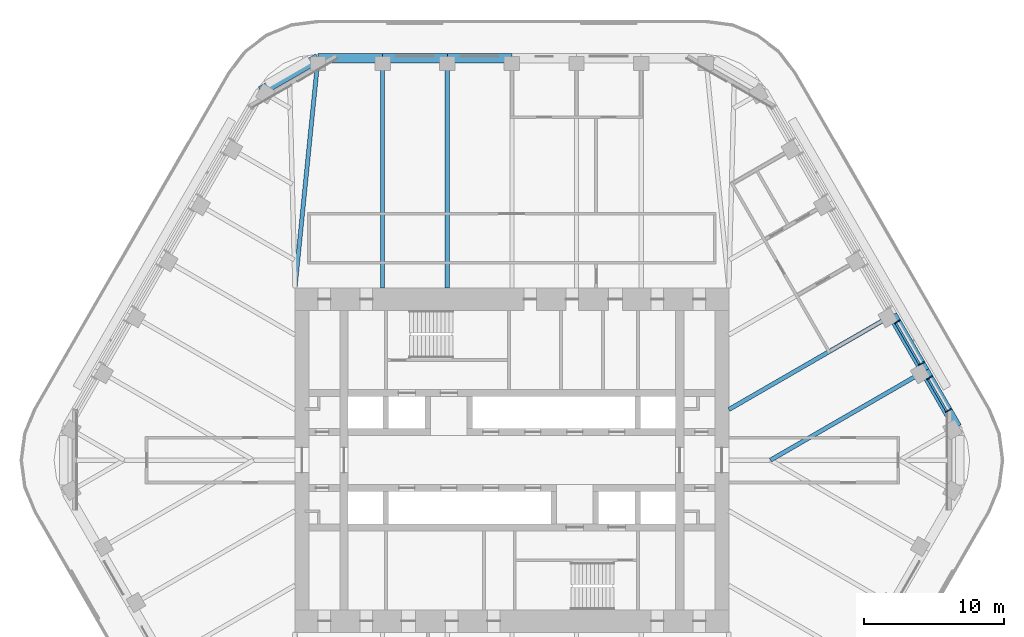
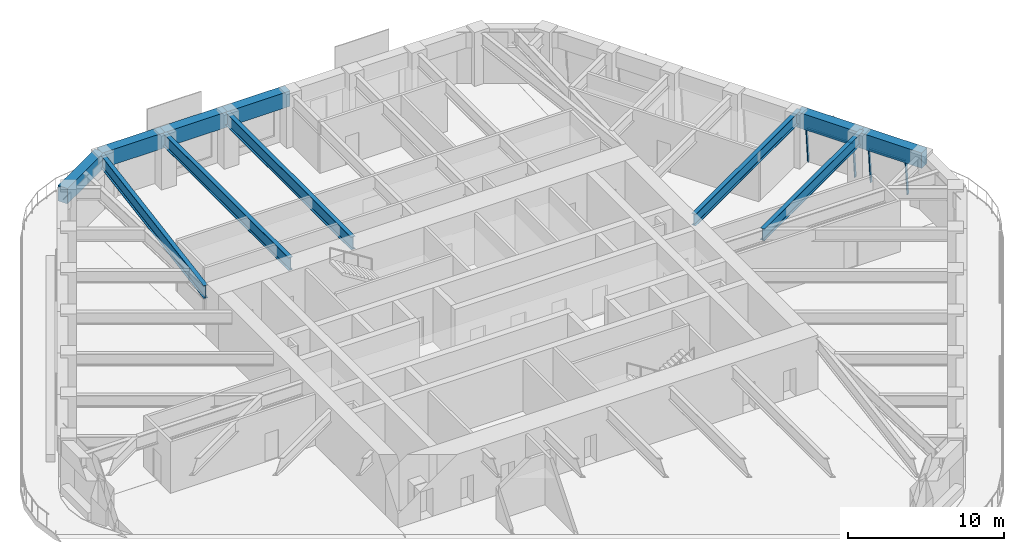
# One storey, part 9 of 20: 11 beams, 6 members, 2 elements without a shape of their own.
"""IFC4 building model written with IfcOpenShell, lengths in metres."""

from ifc_helpers import new_model, si_unit, direction, frame, origin, origin_2d, place, context, subcontext, project, spatial, rectangle, i_section, extrude, material, material_profile, profile_set, type_object, element, aggregate, save


model = new_model("IFC4")

# Units and contexts
model_context = context("Model", 3, precision=1e-05, world=origin(), true_north=direction((0.0, 1.0)))
body_context = subcontext(model_context, "Body", "Model", "MODEL_VIEW")
ifc_project = project(units=[si_unit("LENGTHUNIT", "METRE"), si_unit("AREAUNIT", "SQUARE_METRE"), si_unit("VOLUMEUNIT", "CUBIC_METRE"), si_unit("PLANEANGLEUNIT", "RADIAN"), si_unit("MASSUNIT", "GRAM", prefix="KILO")], contexts=[model_context])

# Site, building, storey
site_placement = place(None, origin())
site = spatial("IfcSite", under=ifc_project, at=site_placement, CompositionType="ELEMENT")
building_placement = place(site_placement, origin())
building = spatial("IfcBuilding", under=site, at=building_placement, Name="Tarfa Lantern Tower", CompositionType="ELEMENT")
storey_placement = place(building_placement, frame((0.0, 0.0, 291.10009765625)))
storey = spatial("IfcBuildingStorey", under=building, at=storey_placement, Name="L66", CompositionType="ELEMENT", Elevation=291.10009765625)

# Curtain wall, members
ifc_material_1 = material(Name="Aluminium framed curtain wall", Category="aluminium")
curtain_wall_type = type_object("IfcCurtainWallType", Name="CW3 CANTED GLAZING HIGH ZONE 2800", PredefinedType="USERDEFINED", material=ifc_material_1)
curtain_wall_1_placement = place(storey_placement, origin())
curtain_wall_1 = element("IfcCurtainWall", 1, at=curtain_wall_1_placement, inside=storey, type_object=curtain_wall_type, Name="CW3 NE L66", ObjectType="CURTAIN WALL", PredefinedType="USERDEFINED")
ifc_material_2 = material(Name="Aluminium mullion", Category="aluminium")
ifc_material_profile_1 = material_profile(ifc_material_2, rectangle(XDim=0.06494140625, YDim=0.199951171875, at=origin_2d()), Name="AL MULLION 65x200")
ifc_profile_set_1 = profile_set([ifc_material_profile_1], Name="Aluminium mullion")
member_type_1 = type_object("IfcMemberType", Name="CWM1 MULLION 65x200", PredefinedType="MULLION", material=ifc_profile_set_1)
member_1_placement = place(storey_placement, frame((31.2900390625, 3.60400390625, 0.0), z_axis=(-0.077039050765, -0.044468989844, 0.996035889715), x_axis=(0.499919672301, -0.866071776036, 0.0)))
member_1 = element("IfcMember", 2, at=member_1_placement, type_object=member_type_1, Name="CW3 mullion 1", PredefinedType="MULLION", context=body_context, shape_type="SweptSolid", body=[
    extrude(rectangle(XDim=0.06494140625, YDim=0.199951171875, at=origin_2d()), origin(), (0.0, 0.0, 1.0), 2.81103515625),
])
member_2_placement = place(storey_placement, frame((29.938232421875, 5.945556640625, 0.0), z_axis=(-0.077039050765, -0.044468989844, 0.996035889715), x_axis=(0.499919672301, -0.866071776036, 0.0)))
member_2 = element("IfcMember", 3, at=member_2_placement, type_object=member_type_1, Name="CW3 mullion 2", PredefinedType="MULLION", context=body_context, shape_type="SweptSolid", body=[
    extrude(rectangle(XDim=0.06494140625, YDim=0.199951171875, at=origin_2d()), origin(), (0.0, 0.0, 1.0), 2.81103515625),
])

curtain_wall_2_placement = place(storey_placement, origin())
curtain_wall_2 = element("IfcCurtainWall", 4, at=curtain_wall_2_placement, inside=storey, type_object=curtain_wall_type, Name="CW3 NE L66", ObjectType="CURTAIN WALL", PredefinedType="USERDEFINED")
member_3_placement = place(storey_placement, frame((29.355712890625, 6.954345703125, 0.0), z_axis=(-0.077039050765, -0.044468989844, 0.996035889715), x_axis=(0.499919672301, -0.866071776036, 0.0)))
member_3 = element("IfcMember", 5, at=member_3_placement, type_object=member_type_1, Name="CW3 mullion 1", PredefinedType="MULLION", context=body_context, shape_type="SweptSolid", body=[
    extrude(rectangle(XDim=0.06494140625, YDim=0.199951171875, at=origin_2d()), origin(), (0.0, 0.0, 1.0), 2.81103515625),
])
member_4_placement = place(storey_placement, frame((27.62890625, 9.945556640625, 0.0), z_axis=(-0.077039050765, -0.044468989844, 0.996035889715), x_axis=(0.499919672301, -0.866071776036, 0.0)))
member_4 = element("IfcMember", 6, at=member_4_placement, type_object=member_type_1, Name="CW3 mullion 2", PredefinedType="MULLION", context=body_context, shape_type="SweptSolid", body=[
    extrude(rectangle(XDim=0.06494140625, YDim=0.199951171875, at=origin_2d()), origin(), (0.0, 0.0, 1.0), 2.81103515625),
])

# Member
ifc_material_3 = material(Name="Aluminium transom", Category="aluminium")
ifc_material_profile_2 = material_profile(ifc_material_3, rectangle(XDim=0.14990234375, YDim=0.06494140625, at=origin_2d()), Name="AL TRANSOM 150x65")
ifc_profile_set_2 = profile_set([ifc_material_profile_2], Name="Aluminium transom")
member_type_2 = type_object("IfcMemberType", Name="CWT1 TRANSOM 150x65", PredefinedType="USERDEFINED", material=ifc_profile_set_2)
member_5_placement = place(storey_placement, frame((31.059814453125, 3.508544921875, 2.767333984375), z_axis=(-0.499960041298, 0.866048472723, 0.0), x_axis=(-0.866048472723, -0.499960041298, 0.0)))
member_5 = element("IfcMember", 7, at=member_5_placement, type_object=member_type_2, Name="CW3 transom 1.2", ObjectType="TRANSOM", PredefinedType="USERDEFINED", context=body_context, shape_type="SweptSolid", body=[
    extrude(rectangle(XDim=0.14990234375, YDim=0.06494140625, at=origin_2d()), origin(), (0.0, 0.0, 1.0), 2.638916015625),
])

aggregate(curtain_wall_1, [member_1, member_2, member_5])

member_6_placement = place(storey_placement, frame((29.12548828125, 6.859130859375, 2.767333984375), z_axis=(-0.499982299553, 0.866035622901, 0.0), x_axis=(-0.866035622901, -0.499982299553, 0.0)))
member_6 = element("IfcMember", 8, at=member_6_placement, type_object=member_type_2, Name="CW3 transom 1.2", ObjectType="TRANSOM", PredefinedType="USERDEFINED", context=body_context, shape_type="SweptSolid", body=[
    extrude(rectangle(XDim=0.14990234375, YDim=0.06494140625, at=origin_2d()), origin(), (0.0, 0.0, 1.0), 3.388671875),
])

aggregate(curtain_wall_2, [member_3, member_4, member_6])

# Beams
ifc_material_4 = material(Name="Concrete C80/95", Category="concrete")
ifc_material_profile_3 = material_profile(ifc_material_4, rectangle(XDim=0.699951171875, YDim=1.199951171875, at=origin_2d()), Name="RC 700x1200")
ifc_profile_set_3 = profile_set([ifc_material_profile_3], Name="Concrete C80/95")
beam_type_1 = type_object("IfcBeamType", Name="EB3 RC 700x1200", PredefinedType="SPANDREL", material=ifc_profile_set_3)
beam_1_placement = place(storey_placement, frame((31.800537109375, 2.360107421875, 3.39990234375), z_axis=(-0.500027479704, 0.866009537788, 0.0), x_axis=(-0.866009537788, -0.500027479704, 0.0)))
element("IfcBeam", 9, at=beam_1_placement, inside=storey, type_object=beam_type_1, Name="Edge beam NE0", PredefinedType="SPANDREL", context=body_context, shape_type="SweptSolid", body=[
    extrude(rectangle(XDim=0.699951171875, YDim=1.199951171875, at=origin_2d()), origin(), (0.0, 0.0, 1.0), 4.618896484375),
])
beam_2_placement = place(storey_placement, frame((29.490966796875, 6.360107421875, 3.39990234375), z_axis=(-0.499987836815, 0.866032426089, 0.0), x_axis=(-0.866032426089, -0.499987836815, 0.0)))
element("IfcBeam", 10, at=beam_2_placement, inside=storey, type_object=beam_type_1, Name="Edge beam NE1", PredefinedType="SPANDREL", context=body_context, shape_type="SweptSolid", body=[
    extrude(rectangle(XDim=0.699951171875, YDim=1.199951171875, at=origin_2d()), origin(), (0.0, 0.0, 1.0), 4.61865234375),
])
beam_3_placement = place(storey_placement, frame((0.0, 28.719970703125, 3.39990234375), z_axis=(-1.0, 0.0, 0.0), x_axis=(0.0, -1.0, 0.0)))
element("IfcBeam", 11, at=beam_3_placement, inside=storey, type_object=beam_type_1, Name="Edge beam N3", PredefinedType="SPANDREL", context=body_context, shape_type="SweptSolid", body=[
    extrude(rectangle(XDim=0.699951171875, YDim=1.199951171875, at=origin_2d()), origin(), (0.0, 0.0, 1.0), 4.618896484375),
])
beam_4_placement = place(storey_placement, frame((-4.618896484375, 28.719970703125, 3.39990234375), z_axis=(-1.0, 0.0, 0.0), x_axis=(0.0, -1.0, 0.0)))
element("IfcBeam", 12, at=beam_4_placement, inside=storey, type_object=beam_type_1, Name="Edge beam N4", PredefinedType="SPANDREL", context=body_context, shape_type="SweptSolid", body=[
    extrude(rectangle(XDim=0.699951171875, YDim=1.199951171875, at=origin_2d()), origin(), (0.0, 0.0, 1.0), 4.61865234375),
])
beam_5_placement = place(storey_placement, frame((-9.237548828125, 28.719970703125, 3.39990234375), z_axis=(-1.0, 0.0, 0.0), x_axis=(0.0, -1.0, 0.0)))
element("IfcBeam", 13, at=beam_5_placement, inside=storey, type_object=beam_type_1, Name="Edge beam N5", PredefinedType="SPANDREL", context=body_context, shape_type="SweptSolid", body=[
    extrude(rectangle(XDim=0.699951171875, YDim=1.199951171875, at=origin_2d()), origin(), (0.0, 0.0, 1.0), 4.618896484375),
])
beam_6_placement = place(storey_placement, frame((-13.8564453125, 28.719970703125, 3.39990234375), z_axis=(-0.866038294681, -0.499977671647, 0.0), x_axis=(0.499977671647, -0.866038294681, 0.0)))
element("IfcBeam", 14, at=beam_6_placement, inside=storey, type_object=beam_type_1, Name="Edge beam N6", PredefinedType="SPANDREL", context=body_context, shape_type="SweptSolid", body=[
    extrude(rectangle(XDim=0.699951171875, YDim=1.199951171875, at=origin_2d()), origin(), (0.0, 0.0, 1.0), 4.719970703125),
])
ifc_material_5 = material(Name="Steel S460M", Category="steel")
ifc_material_profile_4 = material_profile(ifc_material_5, i_section(OverallWidth=0.302001953125, OverallDepth=1.008056640625, WebThickness=0.02099609375, FlangeThickness=0.0400390625, FilletRadius=0.030029296875, at=origin_2d()), Name="UB1016x305x349")
ifc_profile_set_4 = profile_set([ifc_material_profile_4], Name="Steel S460M")
beam_type_2 = type_object("IfcBeamType", Name="UB1016x305x349", PredefinedType="BEAM", material=ifc_profile_set_4)
for number, where, z_axis, x_axis, name in (
    (15, (-4.618896484375, 28.719970703125, 3.495849609375), (0.0, -1.0, 0.0), (1.0, 0.0, 0.0), "Floor beam N4"),
    (16, (-9.237548828125, 28.719970703125, 3.495849609375), (0.0, -1.0, 0.0), (1.0, 0.0, 0.0), "Floor beam N5"),
):
    element("IfcBeam", number, at=place(storey_placement, frame(where, z_axis=z_axis, x_axis=x_axis)), inside=storey, type_object=beam_type_2, Name=name, PredefinedType="BEAM", context=body_context, shape_type="SweptSolid", body=[
        extrude(i_section(OverallWidth=0.302001953125, OverallDepth=1.008056640625, WebThickness=0.02099609375, FlangeThickness=0.0400390625, FilletRadius=0.030029296875, at=origin_2d()), origin(), (0.0, 0.0, 1.0), 16.419921875),
    ])
beam_7_placement = place(storey_placement, frame((-13.8564453125, 28.719970703125, 3.495849609375), z_axis=(-0.099597466746, -0.995027810977, 0.0), x_axis=(0.995027810977, -0.099597466746, 0.0)))
element("IfcBeam", 17, at=beam_7_placement, inside=storey, type_object=beam_type_2, Name="Floor beam N6", PredefinedType="BEAM", context=body_context, shape_type="SweptSolid", body=[
    extrude(i_section(OverallWidth=0.302001953125, OverallDepth=1.008056640625, WebThickness=0.02099609375, FlangeThickness=0.0400390625, FilletRadius=0.030029296875, at=origin_2d()), origin(), (0.0, 0.0, 1.0), 16.501953125),
])
ifc_material_profile_5 = material_profile(ifc_material_5, i_section(OverallWidth=0.305419921875, OverallDepth=0.91845703125, WebThickness=0.017333984375, FlangeThickness=0.02783203125, FilletRadius=0.01904296875, at=origin_2d()), Name="UB914x305x253")
ifc_profile_set_5 = profile_set([ifc_material_profile_5], Name="Steel S460M")
beam_type_3 = type_object("IfcBeamType", Name="UB914x305x253", PredefinedType="BEAM", material=ifc_profile_set_5)
beam_8_placement = place(storey_placement, frame((29.490966796875, 6.360107421875, 3.540771484375), z_axis=(-0.866022258038, -0.500005448553, 0.0), x_axis=(0.500005448553, -0.866022258038, 0.0)))
element("IfcBeam", 18, at=beam_8_placement, inside=storey, type_object=beam_type_3, Name="Floor beam NE1", PredefinedType="BEAM", context=body_context, shape_type="SweptSolid", body=[
    extrude(i_section(OverallWidth=0.305419921875, OverallDepth=0.91845703125, WebThickness=0.017333984375, FlangeThickness=0.02783203125, FilletRadius=0.01904296875, at=origin_2d()), origin(), (0.0, 0.0, 1.0), 12.719970703125),
])
beam_9_placement = place(storey_placement, frame((27.181640625, 10.360107421875, 3.540771484375), z_axis=(-0.866018002818, -0.500012818631, 0.0), x_axis=(0.500012818631, -0.866018002818, 0.0)))
element("IfcBeam", 19, at=beam_9_placement, inside=storey, type_object=beam_type_3, Name="Floor beam NE2", PredefinedType="BEAM", context=body_context, shape_type="SweptSolid", body=[
    extrude(i_section(OverallWidth=0.305419921875, OverallDepth=0.91845703125, WebThickness=0.017333984375, FlangeThickness=0.02783203125, FilletRadius=0.01904296875, at=origin_2d()), origin(), (0.0, 0.0, 1.0), 13.489013671875),
])

save(model, "model.ifc")
